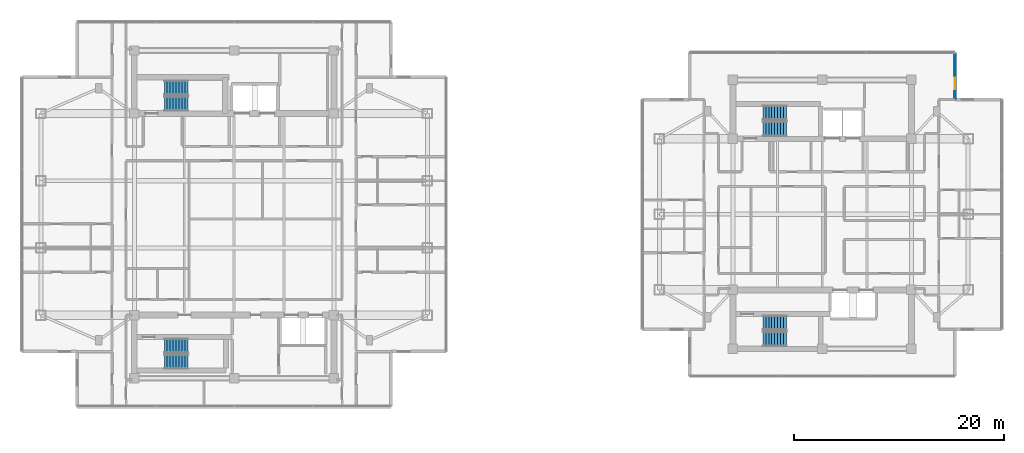
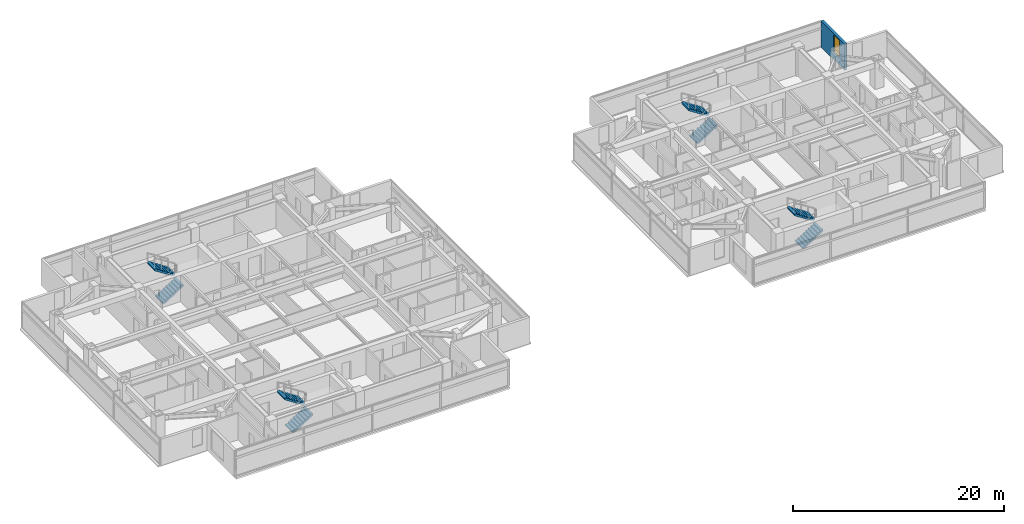
# One storey, part 18 of 24: 8 stair flights, 1 wall, 1 window, 1 opening, 4 elements without a shape of their own.
"""IFC4 building model written with IfcOpenShell, lengths in metres."""

from ifc_helpers import new_model, si_unit, direction, frame, frame_2d, origin, place, context, subcontext, project, spatial, polyline, rectangle, outline, extrude, material, layer, layer_set, type_object, element, fill, aggregate, save


model = new_model("IFC4")

# Units and contexts
model_context = context("Model", 3, precision=1e-05, world=origin(), true_north=direction((0.0, 1.0)))
body_context = subcontext(model_context, "Body", "Model", "MODEL_VIEW")
ifc_project = project(units=[si_unit("LENGTHUNIT", "METRE"), si_unit("AREAUNIT", "SQUARE_METRE"), si_unit("VOLUMEUNIT", "CUBIC_METRE"), si_unit("PLANEANGLEUNIT", "RADIAN"), si_unit("MASSUNIT", "GRAM", prefix="KILO")], contexts=[model_context])

# Site, building, storey
site_placement = place(None, origin())
site = spatial("IfcSite", under=ifc_project, at=site_placement, CompositionType="ELEMENT")
building_placement = place(site_placement, origin())
building = spatial("IfcBuilding", under=site, at=building_placement, Name="Mirazonda Arch Towers", CompositionType="ELEMENT")
storey_placement = place(building_placement, frame((0.0, 0.0, 193.39990234375)))
storey = spatial("IfcBuildingStorey", under=building, at=storey_placement, Name="L55", CompositionType="ELEMENT", Elevation=193.39990234375)

# Wall, opening, window
ifc_material_1 = material(Name="Precast Concrete C40/50", Category="concrete")
ifc_layer = layer(ifc_material_1, 0.280029296875, Name="WALL-EXT-WALL-280")
ifc_layer_set = layer_set([ifc_layer], Name="Precast Concrete C40/50")
wall_type = type_object("IfcWallType", Name="WALL-EXT-WALL-280", PredefinedType="SOLIDWALL", material=ifc_layer_set)
wall_placement = place(storey_placement, frame((89.15185546875, 38.94873046875, 0.0), z_axis=(0.0, 0.0, 1.0), x_axis=(0.0, 1.0, 0.0)))
wall = element("IfcWall", 1, at=wall_placement, inside=storey, type_object=wall_type, Name="L55 T2 Notched NE Corner Wall WL-L55-T2-CNE", PredefinedType="SOLIDWALL", context=body_context, shape_type="SweptSolid", body=[
    extrude(rectangle(XDim=4.439697265625, YDim=0.280029296875, at=frame_2d((2.2197265625, 0.0))), origin(), (0.0, 0.0, 1.0), 3.030029296875),
])
opening_placement = place(wall_placement, frame((0.949951171875, 0.0, 0.85009765625)))
opening = element("IfcOpeningElement", 2, at=opening_placement, cuts=wall, Name="Opening WN-108", PredefinedType="OPENING", context=body_context, shape_type="SweptSolid", body=[
    extrude(rectangle(XDim=1.10009765625, YDim=2.0, at=frame_2d((0.550048828125, 1.0))), frame((0.0, 0.14990234375, 0.0), z_axis=(0.0, -1.0, 0.0), x_axis=(1.0, 0.0, 0.0)), (0.0, 0.0, 1.0), 0.300048828125),
])
ifc_material_2 = material(Name="Insulated Low-E Solar Glass", Category="glass")
window_type = type_object("IfcWindowType", Name="WIN-NOTCH-1100x2000", PartitioningType="SINGLE_PANEL", PredefinedType="WINDOW", material=ifc_material_2)
window_placement = place(opening_placement, origin())
window = element("IfcWindow", 3, at=window_placement, inside=storey, type_object=window_type, Name="L55 Punched Facade Window WN-L55-T2-CNE", OverallHeight=2.0, OverallWidth=1.10009765625, PartitioningType="SINGLE_PANEL", PredefinedType="WINDOW", context=body_context, shape_type="SweptSolid", body=[
    extrude(rectangle(XDim=1.10009765625, YDim=2.0, at=frame_2d((0.550048828125, 1.0))), frame((0.0, 0.030029296875, 0.0), z_axis=(0.0, -1.0, 0.0), x_axis=(1.0, 0.0, 0.0)), (0.0, 0.0, 1.0), 0.06005859375),
])
fill(opening, window)

# Stair, stair flights
ifc_material_3 = material(Name="Concrete C40/50", Category="concrete")
stair_type = type_object("IfcStairType", Name="STAIR-CORE-1400", PredefinedType="HALF_TURN_STAIR", material=ifc_material_3)
stair_1_placement = place(storey_placement, origin())
stair_1 = element("IfcStair", 4, at=stair_1_placement, inside=storey, type_object=stair_type, Name="L55 Protected Exit Stair ST-T1N", PredefinedType="HALF_TURN_STAIR")
stair_flight_type = type_object("IfcStairFlightType", Name="FLIGHT-1400", PredefinedType="STRAIGHT", material=ifc_material_3)
stair_flight_1_placement = place(storey_placement, frame((13.85009765625, 38.52001953125, 0.0), z_axis=(0.0, 0.0, 1.0), x_axis=(1.0, 0.0, 0.0)))
stair_flight_1 = element("IfcStairFlight", 5, at=stair_flight_1_placement, type_object=stair_flight_type, Name="ST-T1N flight 1", NumberOfRisers=9, NumberOfTreads=8, PredefinedType="STRAIGHT", RiserHeight=0.180555556, TreadLength=0.28, context=body_context, shape_type="SweptSolid", body=[
    extrude(outline(polyline([(0.0, 0.0), (0.0, 0.1806640625), (0.280029296875, 0.1806640625), (0.280029296875, 0.361083984375), (0.56005859375, 0.361083984375), (0.56005859375, 0.541748046875), (0.840087890625, 0.541748046875), (0.840087890625, 0.72216796875), (1.1201171875, 0.72216796875), (1.1201171875, 0.90283203125), (1.39990234375, 0.90283203125), (1.39990234375, 1.083251953125), (1.679931640625, 1.083251953125), (1.679931640625, 1.263916015625), (1.9599609375, 1.263916015625), (1.9599609375, 1.4443359375), (2.239990234375, 1.4443359375), (2.239990234375, 1.625), (2.239990234375, 1.254150390625), (0.295166015625, 0.0), (0.0, 0.0)])), frame((0.0, 0.699951171875, 0.0), z_axis=(0.0, -1.0, 0.0), x_axis=(1.0, 0.0, 0.0)), (0.0, 0.0, 1.0), 1.39990234375),
])
stair_flight_2_placement = place(storey_placement, frame((16.090087890625, 40.06005859375, 1.625), z_axis=(0.0, 0.0, 1.0), x_axis=(-1.0, 0.0, 0.0)))
stair_flight_2 = element("IfcStairFlight", 6, at=stair_flight_2_placement, type_object=stair_flight_type, Name="ST-T1N flight 2", NumberOfRisers=9, NumberOfTreads=8, PredefinedType="STRAIGHT", RiserHeight=0.180555556, TreadLength=0.28, context=body_context, shape_type="SweptSolid", body=[
    extrude(outline(polyline([(0.0, 0.0), (0.0, 0.1806640625), (0.280029296875, 0.1806640625), (0.280029296875, 0.361083984375), (0.56005859375, 0.361083984375), (0.56005859375, 0.541748046875), (0.840087890625, 0.541748046875), (0.840087890625, 0.72216796875), (1.1201171875, 0.72216796875), (1.1201171875, 0.90283203125), (1.39990234375, 0.90283203125), (1.39990234375, 1.083251953125), (1.679931640625, 1.083251953125), (1.679931640625, 1.263916015625), (1.9599609375, 1.263916015625), (1.9599609375, 1.4443359375), (2.239990234375, 1.4443359375), (2.239990234375, 1.625), (2.239990234375, 1.254150390625), (0.295166015625, 0.0), (0.0, 0.0)])), frame((0.0, 0.699951171875, 0.0), z_axis=(0.0, -1.0, 0.0), x_axis=(1.0, 0.0, 0.0)), (0.0, 0.0, 1.0), 1.39990234375),
])
aggregate(stair_1, [stair_flight_1, stair_flight_2])

stair_2_placement = place(storey_placement, origin())
stair_2 = element("IfcStair", 7, at=stair_2_placement, inside=storey, type_object=stair_type, Name="L55 Protected Exit Stair ST-T1S", PredefinedType="HALF_TURN_STAIR")
stair_flight_3_placement = place(storey_placement, frame((13.85009765625, 13.949951171875, 0.0), z_axis=(0.0, 0.0, 1.0), x_axis=(1.0, 0.0, 0.0)))
stair_flight_3 = element("IfcStairFlight", 8, at=stair_flight_3_placement, type_object=stair_flight_type, Name="ST-T1S flight 1", NumberOfRisers=9, NumberOfTreads=8, PredefinedType="STRAIGHT", RiserHeight=0.180555556, TreadLength=0.28, context=body_context, shape_type="SweptSolid", body=[
    extrude(outline(polyline([(0.0, 0.0), (0.0, 0.1806640625), (0.280029296875, 0.1806640625), (0.280029296875, 0.361083984375), (0.56005859375, 0.361083984375), (0.56005859375, 0.541748046875), (0.840087890625, 0.541748046875), (0.840087890625, 0.72216796875), (1.1201171875, 0.72216796875), (1.1201171875, 0.90283203125), (1.39990234375, 0.90283203125), (1.39990234375, 1.083251953125), (1.679931640625, 1.083251953125), (1.679931640625, 1.263916015625), (1.9599609375, 1.263916015625), (1.9599609375, 1.4443359375), (2.239990234375, 1.4443359375), (2.239990234375, 1.625), (2.239990234375, 1.254150390625), (0.295166015625, 0.0), (0.0, 0.0)])), frame((0.0, 0.699951171875, 0.0), z_axis=(0.0, -1.0, 0.0), x_axis=(1.0, 0.0, 0.0)), (0.0, 0.0, 1.0), 1.39990234375),
])
stair_flight_4_placement = place(storey_placement, frame((16.090087890625, 15.489990234375, 1.625), z_axis=(0.0, 0.0, 1.0), x_axis=(-1.0, 0.0, 0.0)))
stair_flight_4 = element("IfcStairFlight", 9, at=stair_flight_4_placement, type_object=stair_flight_type, Name="ST-T1S flight 2", NumberOfRisers=9, NumberOfTreads=8, PredefinedType="STRAIGHT", RiserHeight=0.180555556, TreadLength=0.28, context=body_context, shape_type="SweptSolid", body=[
    extrude(outline(polyline([(0.0, 0.0), (0.0, 0.1806640625), (0.280029296875, 0.1806640625), (0.280029296875, 0.361083984375), (0.56005859375, 0.361083984375), (0.56005859375, 0.541748046875), (0.840087890625, 0.541748046875), (0.840087890625, 0.72216796875), (1.1201171875, 0.72216796875), (1.1201171875, 0.90283203125), (1.39990234375, 0.90283203125), (1.39990234375, 1.083251953125), (1.679931640625, 1.083251953125), (1.679931640625, 1.263916015625), (1.9599609375, 1.263916015625), (1.9599609375, 1.4443359375), (2.239990234375, 1.4443359375), (2.239990234375, 1.625), (2.239990234375, 1.254150390625), (0.295166015625, 0.0), (0.0, 0.0)])), frame((0.0, 0.699951171875, 0.0), z_axis=(0.0, -1.0, 0.0), x_axis=(1.0, 0.0, 0.0)), (0.0, 0.0, 1.0), 1.39990234375),
])
aggregate(stair_2, [stair_flight_3, stair_flight_4])

stair_3_placement = place(storey_placement, origin())
stair_3 = element("IfcStair", 10, at=stair_3_placement, inside=storey, type_object=stair_type, Name="L55 Protected Exit Stair ST-T2N", PredefinedType="HALF_TURN_STAIR")
stair_flight_5_placement = place(storey_placement, frame((70.85009765625, 36.1201171875, 0.0), z_axis=(0.0, 0.0, 1.0), x_axis=(1.0, 0.0, 0.0)))
stair_flight_5 = element("IfcStairFlight", 11, at=stair_flight_5_placement, type_object=stair_flight_type, Name="ST-T2N flight 1", NumberOfRisers=9, NumberOfTreads=8, PredefinedType="STRAIGHT", RiserHeight=0.180555556, TreadLength=0.28, context=body_context, shape_type="SweptSolid", body=[
    extrude(outline(polyline([(0.0, 0.0), (0.0, 0.1806640625), (0.280029296875, 0.1806640625), (0.280029296875, 0.361083984375), (0.56005859375, 0.361083984375), (0.56005859375, 0.541748046875), (0.840087890625, 0.541748046875), (0.840087890625, 0.72216796875), (1.1201171875, 0.72216796875), (1.1201171875, 0.90283203125), (1.39990234375, 0.90283203125), (1.39990234375, 1.083251953125), (1.679931640625, 1.083251953125), (1.679931640625, 1.263916015625), (1.9599609375, 1.263916015625), (1.9599609375, 1.4443359375), (2.239990234375, 1.4443359375), (2.239990234375, 1.625), (2.239990234375, 1.254150390625), (0.295166015625, 0.0), (0.0, 0.0)])), frame((0.0, 0.699951171875, 0.0), z_axis=(0.0, -1.0, 0.0), x_axis=(1.0, 0.0, 0.0)), (0.0, 0.0, 1.0), 1.39990234375),
])
stair_flight_6_placement = place(storey_placement, frame((73.090087890625, 37.659912109375, 1.625), z_axis=(0.0, 0.0, 1.0), x_axis=(-1.0, 0.0, 0.0)))
stair_flight_6 = element("IfcStairFlight", 12, at=stair_flight_6_placement, type_object=stair_flight_type, Name="ST-T2N flight 2", NumberOfRisers=9, NumberOfTreads=8, PredefinedType="STRAIGHT", RiserHeight=0.180555556, TreadLength=0.28, context=body_context, shape_type="SweptSolid", body=[
    extrude(outline(polyline([(0.0, 0.0), (0.0, 0.1806640625), (0.280029296875, 0.1806640625), (0.280029296875, 0.361083984375), (0.56005859375, 0.361083984375), (0.56005859375, 0.541748046875), (0.840087890625, 0.541748046875), (0.840087890625, 0.72216796875), (1.1201171875, 0.72216796875), (1.1201171875, 0.90283203125), (1.39990234375, 0.90283203125), (1.39990234375, 1.083251953125), (1.679931640625, 1.083251953125), (1.679931640625, 1.263916015625), (1.9599609375, 1.263916015625), (1.9599609375, 1.4443359375), (2.239990234375, 1.4443359375), (2.239990234375, 1.625), (2.239990234375, 1.254150390625), (0.295166015625, 0.0), (0.0, 0.0)])), frame((0.0, 0.699951171875, 0.0), z_axis=(0.0, -1.0, 0.0), x_axis=(1.0, 0.0, 0.0)), (0.0, 0.0, 1.0), 1.39990234375),
])
aggregate(stair_3, [stair_flight_5, stair_flight_6])

stair_4_placement = place(storey_placement, origin())
stair_4 = element("IfcStair", 13, at=stair_4_placement, inside=storey, type_object=stair_type, Name="L55 Protected Exit Stair ST-T2S", PredefinedType="HALF_TURN_STAIR")
stair_flight_7_placement = place(storey_placement, frame((70.85009765625, 16.1201171875, 0.0), z_axis=(0.0, 0.0, 1.0), x_axis=(1.0, 0.0, 0.0)))
stair_flight_7 = element("IfcStairFlight", 14, at=stair_flight_7_placement, type_object=stair_flight_type, Name="ST-T2S flight 1", NumberOfRisers=9, NumberOfTreads=8, PredefinedType="STRAIGHT", RiserHeight=0.180555556, TreadLength=0.28, context=body_context, shape_type="SweptSolid", body=[
    extrude(outline(polyline([(0.0, 0.0), (0.0, 0.1806640625), (0.280029296875, 0.1806640625), (0.280029296875, 0.361083984375), (0.56005859375, 0.361083984375), (0.56005859375, 0.541748046875), (0.840087890625, 0.541748046875), (0.840087890625, 0.72216796875), (1.1201171875, 0.72216796875), (1.1201171875, 0.90283203125), (1.39990234375, 0.90283203125), (1.39990234375, 1.083251953125), (1.679931640625, 1.083251953125), (1.679931640625, 1.263916015625), (1.9599609375, 1.263916015625), (1.9599609375, 1.4443359375), (2.239990234375, 1.4443359375), (2.239990234375, 1.625), (2.239990234375, 1.254150390625), (0.295166015625, 0.0), (0.0, 0.0)])), frame((0.0, 0.699951171875, 0.0), z_axis=(0.0, -1.0, 0.0), x_axis=(1.0, 0.0, 0.0)), (0.0, 0.0, 1.0), 1.39990234375),
])
stair_flight_8_placement = place(storey_placement, frame((73.090087890625, 17.659912109375, 1.625), z_axis=(0.0, 0.0, 1.0), x_axis=(-1.0, 0.0, 0.0)))
stair_flight_8 = element("IfcStairFlight", 15, at=stair_flight_8_placement, type_object=stair_flight_type, Name="ST-T2S flight 2", NumberOfRisers=9, NumberOfTreads=8, PredefinedType="STRAIGHT", RiserHeight=0.180555556, TreadLength=0.28, context=body_context, shape_type="SweptSolid", body=[
    extrude(outline(polyline([(0.0, 0.0), (0.0, 0.1806640625), (0.280029296875, 0.1806640625), (0.280029296875, 0.361083984375), (0.56005859375, 0.361083984375), (0.56005859375, 0.541748046875), (0.840087890625, 0.541748046875), (0.840087890625, 0.72216796875), (1.1201171875, 0.72216796875), (1.1201171875, 0.90283203125), (1.39990234375, 0.90283203125), (1.39990234375, 1.083251953125), (1.679931640625, 1.083251953125), (1.679931640625, 1.263916015625), (1.9599609375, 1.263916015625), (1.9599609375, 1.4443359375), (2.239990234375, 1.4443359375), (2.239990234375, 1.625), (2.239990234375, 1.254150390625), (0.295166015625, 0.0), (0.0, 0.0)])), frame((0.0, 0.699951171875, 0.0), z_axis=(0.0, -1.0, 0.0), x_axis=(1.0, 0.0, 0.0)), (0.0, 0.0, 1.0), 1.39990234375),
])
aggregate(stair_4, [stair_flight_7, stair_flight_8])

save(model, "model.ifc")
